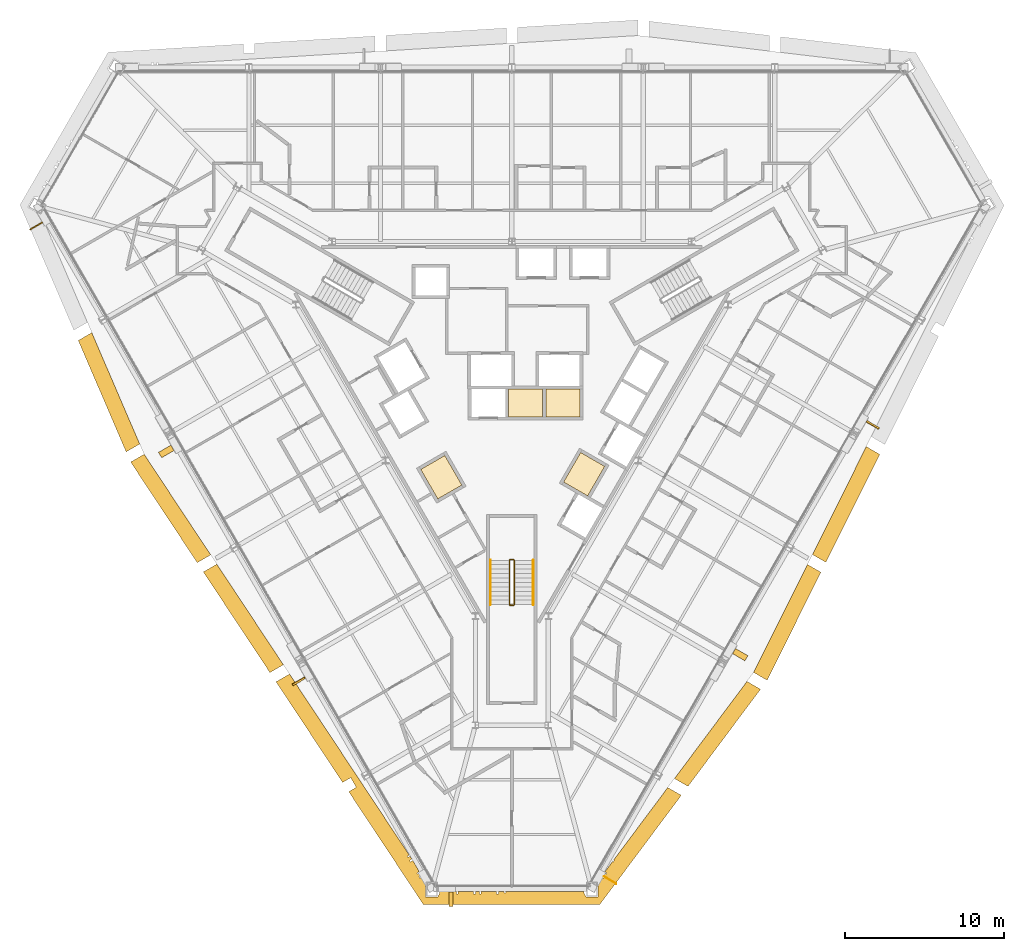
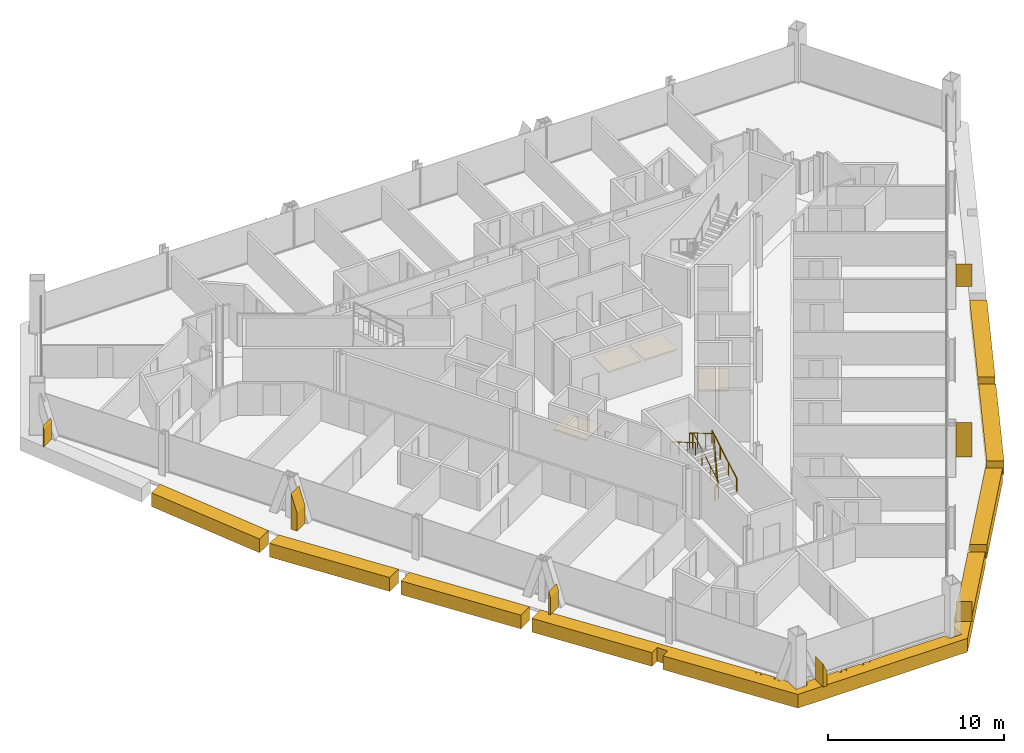
# One storey, part 16 of 17: 18 coverings, 3 railings.
"""IFC4 building model written with IfcOpenShell, lengths in metres."""

from ifc_helpers import new_model, si_unit, direction, frame, origin, origin_2d, place, context, subcontext, project, spatial, polyline, circle, outline, extrude, material, layer, layer_set, type_object, element, save


model = new_model("IFC4")

# Units and contexts
model_context = context("Model", 3, precision=1e-05, world=origin(), true_north=direction((0.0, 1.0)))
body_context = subcontext(model_context, "Body", "Model", "MODEL_VIEW")
ifc_project = project(units=[si_unit("LENGTHUNIT", "METRE"), si_unit("AREAUNIT", "SQUARE_METRE"), si_unit("VOLUMEUNIT", "CUBIC_METRE"), si_unit("PLANEANGLEUNIT", "RADIAN"), si_unit("MASSUNIT", "GRAM", prefix="KILO")], contexts=[model_context])

# Site, building, storey
site_placement = place(None, origin())
site = spatial("IfcSite", under=ifc_project, at=site_placement, CompositionType="ELEMENT")
building_placement = place(site_placement, origin())
building = spatial("IfcBuilding", under=site, at=building_placement, Name="Verrane Prism Tower", CompositionType="ELEMENT")
storey_placement = place(building_placement, frame((0.0, 0.0, 139.60009765625)))
storey = spatial("IfcBuildingStorey", under=building, at=storey_placement, Name="L34", CompositionType="ELEMENT", Elevation=139.60009765625)

# Coverings
ifc_material_1 = material(Name="Concrete C40/50", Category="concrete")
ifc_layer_1 = layer(ifc_material_1, 0.10009765625)
ifc_layer_set_1 = layer_set([ifc_layer_1], Name="Lift pit floor 100 concrete C40/50")
covering_type_1 = type_object("IfcCoveringType", Name="Lift pit floor 100 concrete C40/50", PredefinedType="FLOORING", material=ifc_layer_set_1)
covering_1_placement = place(storey_placement, frame((0.0, 0.0, 1.699951171875)))
element("IfcCovering", 1, at=covering_1_placement, inside=storey, type_object=covering_type_1, Name="Bank B lift 1 pit floor", PredefinedType="FLOORING", context=body_context, shape_type="SweptSolid", body=[
    extrude(outline(polyline([(-0.205078125, -1.85009765625), (-0.205078125, -0.10009765625), (1.945068359375, -0.10009765625), (1.945068359375, -1.85009765625), (-0.205078125, -1.85009765625)])), origin(), (0.0, 0.0, 1.0), 0.099853515625),
])
covering_2_placement = place(storey_placement, frame((0.0, 0.0, 1.699951171875)))
element("IfcCovering", 2, at=covering_2_placement, inside=storey, type_object=covering_type_1, Name="Bank B lift 2 pit floor", PredefinedType="FLOORING", context=body_context, shape_type="SweptSolid", body=[
    extrude(outline(polyline([(2.14501953125, -1.85009765625), (2.14501953125, -0.10009765625), (4.294921875, -0.10009765625), (4.294921875, -1.85009765625), (2.14501953125, -1.85009765625)])), origin(), (0.0, 0.0, 1.0), 0.099853515625),
])
covering_3_placement = place(storey_placement, frame((0.0, 0.0, 1.699951171875)))
element("IfcCovering", 3, at=covering_3_placement, inside=storey, type_object=covering_type_1, Name="Bank B lift 3 pit floor", PredefinedType="FLOORING", context=body_context, shape_type="SweptSolid", body=[
    extrude(outline(polyline([(4.339111328125, -4.1044921875), (5.854736328125, -4.9794921875), (4.779541015625, -6.84130859375), (3.26416015625, -5.96630859375), (4.339111328125, -4.1044921875)])), origin(), (0.0, 0.0, 1.0), 0.099853515625),
])
covering_4_placement = place(storey_placement, frame((0.0, 0.0, 1.699951171875)))
element("IfcCovering", 4, at=covering_4_placement, inside=storey, type_object=covering_type_1, Name="Bank B lift 4 pit floor", PredefinedType="FLOORING", context=body_context, shape_type="SweptSolid", body=[
    extrude(outline(polyline([(-3.154052734375, -6.156982421875), (-4.669677734375, -7.031982421875), (-5.74462890625, -5.169921875), (-4.22900390625, -4.294921875), (-3.154052734375, -6.156982421875)])), origin(), (0.0, 0.0, 1.0), 0.099853515625),
])

# Railings
ifc_material_2 = material(Name="Steel A36 rail and posts, no infill", Category="steel")
railing_type_1 = type_object("IfcRailingType", Name="Stair guard 1100 steel rail and posts", PredefinedType="GUARDRAIL", material=ifc_material_2)
railing_1_placement = place(storey_placement, frame((0.14990234375, -13.699951171875, 0.16357421875)))
element("IfcRailing", 5, at=railing_1_placement, inside=storey, type_object=railing_type_1, Name="Stair 3 guard", PredefinedType="GUARDRAIL", context=body_context, shape_type="SweptSolid", body=[
    extrude(circle(Radius=0.02392578125, at=origin_2d()), frame((0.0, 0.0, 1.076171875), z_axis=(0.0, 0.863393664356, 0.504530851732), x_axis=(-1.0, 0.0, 0.0)), (0.0, 0.0, 1.0), 3.2431640625),
    extrude(circle(Radius=0.02392578125, at=origin_2d()), frame((0.0, 2.800048828125, 2.71240234375), z_axis=(-0.707106781187, 0.707106781187, 0.0), x_axis=(-0.707106781187, -0.707106781187, 0.0)), (0.0, 0.0, 1.0), 0.0703125),
    extrude(circle(Radius=0.02392578125, at=origin_2d()), frame((-0.0498046875, 2.849853515625, 2.71240234375), z_axis=(-1.0, 0.0, 0.0), x_axis=(0.0, -1.0, 0.0)), (0.0, 0.0, 1.0), 0.2001953125),
    extrude(circle(Radius=0.02392578125, at=origin_2d()), frame((-0.25, 2.849853515625, 2.71240234375), z_axis=(-0.279301935624, -0.279301935624, 0.918684307863), x_axis=(0.707106781187, -0.707106781187, 0.0)), (0.0, 0.0, 1.0), 0.17822265625),
    extrude(circle(Radius=0.02392578125, at=origin_2d()), frame((-0.2998046875, 2.800048828125, 2.8759765625), z_axis=(0.0, -0.863393664356, 0.504530851732), x_axis=(1.0, 0.0, 0.0)), (0.0, 0.0, 1.0), 3.2431640625),
    extrude(circle(Radius=0.02392578125, at=origin_2d()), frame((-0.2998046875, 0.0, 4.51220703125), z_axis=(0.069273741535, -0.013868278335, -0.997501288014), x_axis=(0.196300278283, 0.98054382908, 0.0)), (0.0, 0.0, 1.0), 3.60888671875),
    extrude(circle(Radius=0.02392578125, at=origin_2d()), frame((-0.0498046875, -0.050048828125, 0.91259765625), z_axis=(-1.0, 0.0, 0.0), x_axis=(0.0, -1.0, 0.0)), (0.0, 0.0, 1.0), 0.2001953125),
    extrude(circle(Radius=0.02099609375, at=origin_2d()), origin(), (0.0, 0.0, 1.0), 1.052001953125),
    extrude(circle(Radius=0.02099609375, at=origin_2d()), frame((0.0, 0.933349609375, 0.54541015625)), (0.0, 0.0, 1.0), 1.052001953125),
    extrude(circle(Radius=0.02099609375, at=origin_2d()), frame((0.0, 1.86669921875, 1.0908203125)), (0.0, 0.0, 1.0), 1.052001953125),
    extrude(circle(Radius=0.02099609375, at=origin_2d()), frame((0.0, 2.800048828125, 1.63623046875)), (0.0, 0.0, 1.0), 1.052001953125),
    extrude(circle(Radius=0.02099609375, at=origin_2d()), frame((-0.0498046875, 2.849853515625, 1.63623046875)), (0.0, 0.0, 1.0), 1.052001953125),
    extrude(circle(Radius=0.02099609375, at=origin_2d()), frame((-0.25, 2.849853515625, 1.63623046875)), (0.0, 0.0, 1.0), 1.052001953125),
    extrude(circle(Radius=0.02099609375, at=origin_2d()), frame((-0.2998046875, 2.800048828125, 1.800048828125)), (0.0, 0.0, 1.0), 1.052001953125),
    extrude(circle(Radius=0.02099609375, at=origin_2d()), frame((-0.2998046875, 1.86669921875, 2.345458984375)), (0.0, 0.0, 1.0), 1.052001953125),
    extrude(circle(Radius=0.02099609375, at=origin_2d()), frame((-0.2998046875, 0.933349609375, 2.890869140625)), (0.0, 0.0, 1.0), 1.052001953125),
    extrude(circle(Radius=0.02099609375, at=origin_2d()), frame((-0.2998046875, 0.0, 3.436279296875)), (0.0, 0.0, 1.0), 1.052001953125),
    extrude(circle(Radius=0.02099609375, at=origin_2d()), frame((-0.2373046875, -0.012451171875, 2.536376953125)), (0.0, 0.0, 1.0), 1.052001953125),
    extrude(circle(Radius=0.02099609375, at=origin_2d()), frame((-0.1748046875, -0.02490234375, 1.63623046875)), (0.0, 0.0, 1.0), 1.052001953125),
    extrude(circle(Radius=0.02099609375, at=origin_2d()), frame((-0.1123046875, -0.03759765625, 0.736328125)), (0.0, 0.0, 1.0), 1.052001953125),
    extrude(circle(Radius=0.02099609375, at=origin_2d()), frame((-0.0498046875, -0.050048828125, -0.16357421875)), (0.0, 0.0, 1.0), 1.052001953125),
    extrude(circle(Radius=0.02099609375, at=origin_2d()), frame((-0.25, -0.050048828125, -0.16357421875)), (0.0, 0.0, 1.0), 1.052001953125),
])
ifc_material_3 = material(Name="Steel A36 tube", Category="steel")
railing_type_2 = type_object("IfcRailingType", Name="Stair handrail 900 steel tube", PredefinedType="HANDRAIL", material=ifc_material_3)
railing_2_placement = place(storey_placement, frame((1.35009765625, -13.699951171875, 0.16357421875)))
element("IfcRailing", 6, at=railing_2_placement, inside=storey, type_object=railing_type_2, Name="Stair 3 handrail", PredefinedType="HANDRAIL", context=body_context, shape_type="SweptSolid", body=[
    extrude(circle(Radius=0.02392578125, at=origin_2d()), frame((0.0, 0.0, 0.8759765625), z_axis=(0.0, 0.863393664356, 0.504530851732), x_axis=(-1.0, 0.0, 0.0)), (0.0, 0.0, 1.0), 3.2431640625),
    extrude(circle(Radius=0.02099609375, at=origin_2d()), origin(), (0.0, 0.0, 1.0), 0.851806640625),
    extrude(circle(Radius=0.02099609375, at=origin_2d()), frame((0.0, 0.933349609375, 0.54541015625)), (0.0, 0.0, 1.0), 0.851806640625),
    extrude(circle(Radius=0.02099609375, at=origin_2d()), frame((0.0, 1.86669921875, 1.0908203125)), (0.0, 0.0, 1.0), 0.851806640625),
    extrude(circle(Radius=0.02099609375, at=origin_2d()), frame((0.0, 2.800048828125, 1.63623046875)), (0.0, 0.0, 1.0), 0.851806640625),
])
railing_3_placement = place(storey_placement, frame((-1.35009765625, -10.89990234375, 1.963623046875)))
element("IfcRailing", 7, at=railing_3_placement, inside=storey, type_object=railing_type_2, Name="Stair 3 handrail", PredefinedType="HANDRAIL", context=body_context, shape_type="SweptSolid", body=[
    extrude(circle(Radius=0.02392578125, at=origin_2d()), frame((0.0, 0.0, 0.8759765625), z_axis=(0.0, -0.863393664356, 0.504530851732), x_axis=(1.0, 0.0, 0.0)), (0.0, 0.0, 1.0), 3.2431640625),
    extrude(circle(Radius=0.02099609375, at=origin_2d()), origin(), (0.0, 0.0, 1.0), 0.851806640625),
    extrude(circle(Radius=0.02099609375, at=origin_2d()), frame((0.0, -0.933349609375, 0.54541015625)), (0.0, 0.0, 1.0), 0.851806640625),
    extrude(circle(Radius=0.02099609375, at=origin_2d()), frame((0.0, -1.86669921875, 1.0908203125)), (0.0, 0.0, 1.0), 0.851806640625),
    extrude(circle(Radius=0.02099609375, at=origin_2d()), frame((0.0, -2.800048828125, 1.63623046875)), (0.0, 0.0, 1.0), 0.851806640625),
])

# Coverings
ifc_material_4 = material(Name="Warm limestone cladding", Category="masonry")
ifc_layer_2 = layer(ifc_material_4, 0.89990234375)
ifc_layer_set_2 = layer_set([ifc_layer_2], Name="Stone brace fin 900")
covering_type_2 = type_object("IfcCoveringType", Name="Stone brace fin 900", PredefinedType="CLADDING", material=ifc_layer_set_2)
covering_5_placement = place(storey_placement, frame((-29.984619140625, 10.15283203125, 0.0), z_axis=(0.0, 0.0, 1.0), x_axis=(-0.502944183316, 0.86431889281, 0.0)))
element("IfcCovering", 8, at=covering_5_placement, inside=storey, type_object=covering_type_2, Name="Stone brace fin SW1 L34", PredefinedType="CLADDING", context=body_context, shape_type="SweptSolid", body=[
    extrude(outline(polyline([(0.0, 0.0), (0.065673828125, 0.0), (0.065673828125, 1.435791015625), (0.0, 1.231201171875), (0.0, 0.0)])), frame((0.0, 0.449951171875, 0.0), z_axis=(0.0, -1.0, 0.0), x_axis=(1.0, 0.0, 0.0)), (0.0, 0.0, 1.0), 0.89990234375),
])
covering_6_placement = place(storey_placement, frame((-21.69482421875, -4.2080078125, 0.0), z_axis=(0.0, 0.0, 1.0), x_axis=(-0.501281108526, 0.865284490925, 0.0)))
element("IfcCovering", 9, at=covering_6_placement, inside=storey, type_object=covering_type_2, Name="Stone brace fin SW3 L34", PredefinedType="CLADDING", context=body_context, shape_type="SweptSolid", body=[
    extrude(outline(polyline([(0.0, 0.0), (0.392822265625, 0.0), (0.392822265625, 2.460205078125), (0.0, 1.233154296875), (0.0, 0.0)])), frame((0.0, 0.449951171875, 0.0), z_axis=(0.0, -1.0, 0.0), x_axis=(1.0, 0.0, 0.0)), (0.0, 0.0, 1.0), 0.89990234375),
])
covering_7_placement = place(storey_placement, frame((-13.4052734375, -18.573974609375, 0.0), z_axis=(0.0, 0.0, 1.0), x_axis=(-0.498192286449, 0.867066575139, 0.0)))
element("IfcCovering", 10, at=covering_7_placement, inside=storey, type_object=covering_type_2, Name="Stone brace fin SW5 L34", PredefinedType="CLADDING", context=body_context, shape_type="SweptSolid", body=[
    extrude(outline(polyline([(0.0, 0.0), (0.114990234375, 0.0), (0.114990234375, 1.585205078125), (0.0, 1.227294921875), (0.0, 0.0)])), frame((0.0, 0.449951171875, 0.0), z_axis=(0.0, -1.0, 0.0), x_axis=(1.0, 0.0, 0.0)), (0.0, 0.0, 1.0), 0.89990234375),
])
covering_8_placement = place(storey_placement, frame((6.20263671875, -31.050048828125, 0.0), z_axis=(0.0, 0.0, 1.0), x_axis=(-0.502015602834, -0.864858563299, 0.0)))
element("IfcCovering", 11, at=covering_8_placement, inside=storey, type_object=covering_type_2, Name="Stone brace fin SE1 L34", PredefinedType="CLADDING", context=body_context, shape_type="SweptSolid", body=[
    extrude(outline(polyline([(0.0, 0.0), (0.04931640625, 0.0), (0.04931640625, 1.384765625), (0.0, 1.231201171875), (0.0, 0.0)])), frame((0.0, 0.449951171875, 0.0), z_axis=(0.0, -1.0, 0.0), x_axis=(1.0, 0.0, 0.0)), (0.0, 0.0, 1.0), 0.89990234375),
])
covering_9_placement = place(storey_placement, frame((14.494140625, -16.690185546875, 0.0), z_axis=(0.0, 0.0, 1.0), x_axis=(-0.502902392762, -0.864343209237, 0.0)))
element("IfcCovering", 12, at=covering_9_placement, inside=storey, type_object=covering_type_2, Name="Stone brace fin SE3 L34", PredefinedType="CLADDING", context=body_context, shape_type="SweptSolid", body=[
    extrude(outline(polyline([(0.0, 0.0), (0.376220703125, 0.0), (0.376220703125, 2.40966796875), (0.0, 1.23388671875), (0.0, 0.0)])), frame((0.0, 0.449951171875, 0.0), z_axis=(0.0, -1.0, 0.0), x_axis=(1.0, 0.0, 0.0)), (0.0, 0.0, 1.0), 0.89990234375),
])
covering_10_placement = place(storey_placement, frame((22.78564453125, -2.3173828125, 0.0), z_axis=(0.0, 0.0, 1.0), x_axis=(-0.499109446936, -0.866538954681, 0.0)))
element("IfcCovering", 13, at=covering_10_placement, inside=storey, type_object=covering_type_2, Name="Stone brace fin SE5 L34", PredefinedType="CLADDING", context=body_context, shape_type="SweptSolid", body=[
    extrude(outline(polyline([(0.0, 0.0), (0.114990234375, 0.0), (0.114990234375, 1.585205078125), (0.0, 1.227294921875), (0.0, 0.0)])), frame((0.0, 0.449951171875, 0.0), z_axis=(0.0, -1.0, 0.0), x_axis=(1.0, 0.0, 0.0)), (0.0, 0.0, 1.0), 0.89990234375),
])
covering_11_placement = place(storey_placement, frame((-3.7236328125, -32.267822265625, 0.0), z_axis=(0.0, 0.0, 1.0), x_axis=(-1.0, 0.0, 0.0)))
element("IfcCovering", 14, at=covering_11_placement, inside=storey, type_object=covering_type_2, Name="Stone brace fin S1 L34", PredefinedType="CLADDING", context=body_context, shape_type="SweptSolid", body=[
    extrude(outline(polyline([(0.0, 0.0), (0.24658203125, 0.0), (0.24658203125, 1.62451171875), (0.0, 0.992919921875), (0.0, 0.0)])), frame((0.0, 0.449951171875, 0.0), z_axis=(0.0, -1.0, 0.0), x_axis=(1.0, 0.0, 0.0)), (0.0, 0.0, 1.0), 0.89990234375),
])
ifc_material_5 = material(Name="Warm limestone cladding", Category="masonry")
ifc_layer_3 = layer(ifc_material_5, 0.449951171875)
ifc_layer_set_3 = layer_set([ifc_layer_3], Name="Stone spandrel band 450")
covering_type_3 = type_object("IfcCoveringType", Name="Stone spandrel band 450", PredefinedType="CLADDING", material=ifc_layer_set_3)
covering_12_placement = place(storey_placement, frame((0.0, 0.0, -0.9501953125)))
element("IfcCovering", 15, at=covering_12_placement, inside=storey, type_object=covering_type_3, Name="Stone spandrel band L34 part 3", PredefinedType="CLADDING", context=body_context, shape_type="SweptSolid", body=[
    extrude(outline(polyline([(5.537353515625, -32.616455078125), (10.68408203125, -25.722412109375), (9.831298828125, -25.229736328125), (6.56591796875, -29.603515625), (6.55908203125, -29.619384765625), (6.555419921875, -29.61767578125), (6.414794921875, -29.805908203125), (6.444091796875, -29.82275390625), (6.3876953125, -29.92041015625), (6.34716796875, -29.89697265625), (5.861572265625, -30.547119140625), (5.9853515625, -30.618408203125), (5.949951171875, -30.679931640625), (5.81884765625, -30.604248046875), (5.726318359375, -30.728271484375), (5.706787109375, -30.76220703125), (5.853515625, -30.84716796875), (5.798095703125, -30.942138671875), (5.652099609375, -30.857177734375), (5.429931640625, -31.24169921875), (5.429931640625, -32.1201171875), (4.669921875, -32.1201171875), (4.669921875, -32.097900390625), (4.55615234375, -31.90380859375), (4.55615234375, -31.771728515625), (-0.41748046875, -31.771728515625), (-0.37109375, -31.84814453125), (-0.451171875, -31.896484375), (-0.52685546875, -31.771728515625), (-0.841064453125, -31.771728515625), (-0.841064453125, -31.93994140625), (-0.979248046875, -31.93994140625), (-0.979248046875, -31.771728515625), (-1.961181640625, -31.771728515625), (-1.961181640625, -31.93994140625), (-2.044677734375, -31.93994140625), (-2.044677734375, -31.771728515625), (-2.283935546875, -31.771728515625), (-2.283935546875, -31.93994140625), (-2.422119140625, -31.93994140625), (-2.422119140625, -31.771728515625), (-3.404052734375, -31.771728515625), (-3.404052734375, -31.93994140625), (-3.487548828125, -31.93994140625), (-3.487548828125, -31.771728515625), (-3.7236328125, -31.771728515625), (-3.7236328125, -31.93994140625), (-3.858154296875, -31.93994140625), (-3.858154296875, -31.771728515625), (-4.55615234375, -31.771728515625), (-4.55615234375, -31.90380859375), (-4.669921875, -32.097900390625), (-4.669921875, -32.1201171875), (-5.429931640625, -32.1201171875), (-5.429931640625, -31.24169921875), (-5.652099609375, -30.857177734375), (-5.798095703125, -30.942138671875), (-5.853515625, -30.84716796875), (-5.706787109375, -30.76220703125), (-5.80322265625, -30.59521484375), (-5.949951171875, -30.679931640625), (-5.9853515625, -30.618408203125), (-5.838623046875, -30.533935546875), (-6.241455078125, -29.8359375), (-6.3876953125, -29.92041015625), (-6.444091796875, -29.82275390625), (-6.30224609375, -29.740966796875), (-6.421875, -29.559814453125), (-6.55908203125, -29.619384765625), (-6.589111328125, -29.550537109375), (-6.4638671875, -29.496337890625), (-14.020263671875, -18.073486328125), (-14.868896484375, -18.563720703125), (-10.672607421875, -24.9072265625), (-10.1591796875, -24.611083984375), (-9.809326171875, -25.21728515625), (-10.28564453125, -25.4921875), (-5.57275390625, -32.616455078125), (5.537353515625, -32.616455078125)])), origin(), (0.0, 0.0, 1.0), 0.9501953125),
])
covering_13_placement = place(storey_placement, frame((0.0, 0.0, -0.9501953125)))
element("IfcCovering", 16, at=covering_13_placement, inside=storey, type_object=covering_type_3, Name="Stone spandrel band L34 part 4", PredefinedType="CLADDING", context=body_context, shape_type="SweptSolid", body=[
    extrude(outline(polyline([(-24.3212890625, -4.06298828125), (-23.46826171875, -3.570556640625), (-26.487060546875, 3.453125), (-27.33984375, 2.960693359375), (-24.3212890625, -4.06298828125)])), origin(), (0.0, 0.0, 1.0), 0.9501953125),
])
covering_14_placement = place(storey_placement, frame((0.0, 0.0, -0.9501953125)))
element("IfcCovering", 17, at=covering_14_placement, inside=storey, type_object=covering_type_3, Name="Stone spandrel band L34 part 5", PredefinedType="CLADDING", context=body_context, shape_type="SweptSolid", body=[
    extrude(outline(polyline([(15.67919921875, -19.031494140625), (14.826416015625, -18.538818359375), (10.2529296875, -24.6650390625), (11.10595703125, -25.157470703125), (15.67919921875, -19.031494140625)])), origin(), (0.0, 0.0, 1.0), 0.9501953125),
])
covering_15_placement = place(storey_placement, frame((0.0, 0.0, -0.9501953125)))
element("IfcCovering", 18, at=covering_15_placement, inside=storey, type_object=covering_type_3, Name="Stone spandrel band L34 part 7", PredefinedType="CLADDING", context=body_context, shape_type="SweptSolid", body=[
    extrude(outline(polyline([(-18.99072265625, -10.56005859375), (-23.187255859375, -4.21630859375), (-24.035888671875, -4.706298828125), (-19.83935546875, -11.050048828125), (-18.99072265625, -10.56005859375)])), origin(), (0.0, 0.0, 1.0), 0.9501953125),
])
covering_16_placement = place(storey_placement, frame((0.0, 0.0, -0.9501953125)))
element("IfcCovering", 19, at=covering_16_placement, inside=storey, type_object=covering_type_3, Name="Stone spandrel band L34 part 8", PredefinedType="CLADDING", context=body_context, shape_type="SweptSolid", body=[
    extrude(outline(polyline([(-14.4072265625, -17.48876953125), (-18.603759765625, -11.14501953125), (-19.452392578125, -11.635009765625), (-15.255859375, -17.978759765625), (-14.4072265625, -17.48876953125)])), origin(), (0.0, 0.0, 1.0), 0.9501953125),
])
covering_17_placement = place(storey_placement, frame((0.0, 0.0, -0.9501953125)))
element("IfcCovering", 20, at=covering_17_placement, inside=storey, type_object=covering_type_3, Name="Stone spandrel band L34 part 9", PredefinedType="CLADDING", context=body_context, shape_type="SweptSolid", body=[
    extrude(outline(polyline([(18.640625, -11.166259765625), (15.2451171875, -17.972412109375), (16.09375, -18.46240234375), (19.4892578125, -11.65625), (18.640625, -11.166259765625)])), origin(), (0.0, 0.0, 1.0), 0.9501953125),
])
covering_18_placement = place(storey_placement, frame((0.0, 0.0, -0.9501953125)))
element("IfcCovering", 21, at=covering_18_placement, inside=storey, type_object=covering_type_3, Name="Stone spandrel band L34 part 10", PredefinedType="CLADDING", context=body_context, shape_type="SweptSolid", body=[
    extrude(outline(polyline([(22.349365234375, -3.732666015625), (18.953857421875, -10.538818359375), (19.802490234375, -11.02880859375), (23.197998046875, -4.22265625), (22.349365234375, -3.732666015625)])), origin(), (0.0, 0.0, 1.0), 0.9501953125),
])

save(model, "model.ifc")
